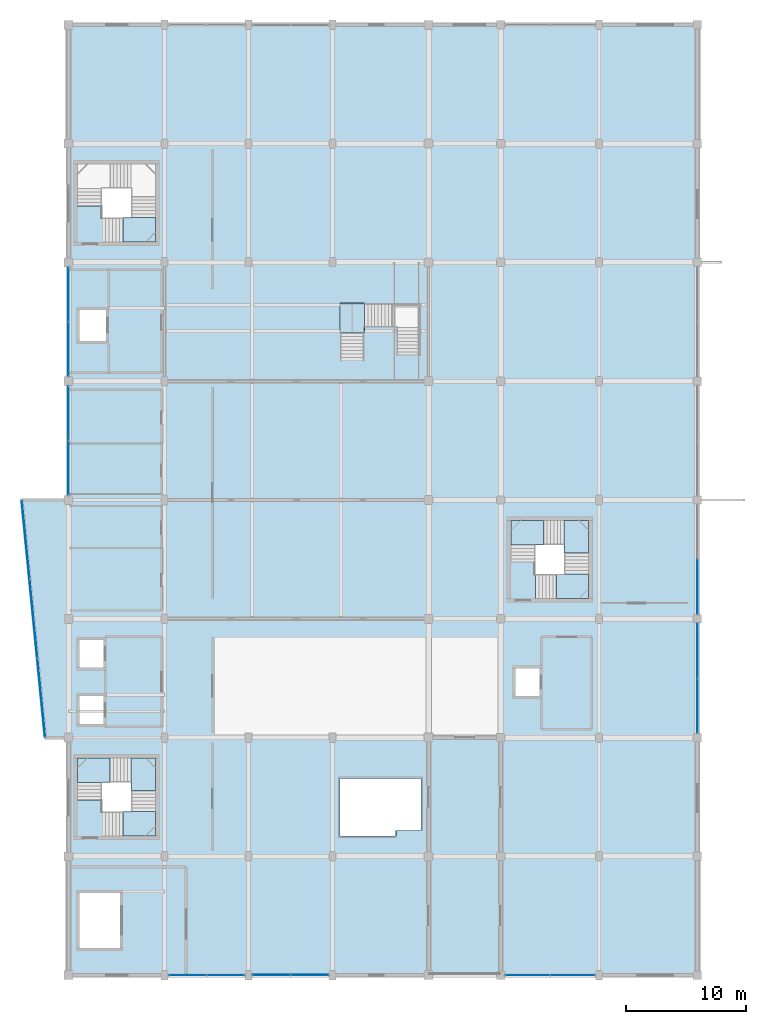
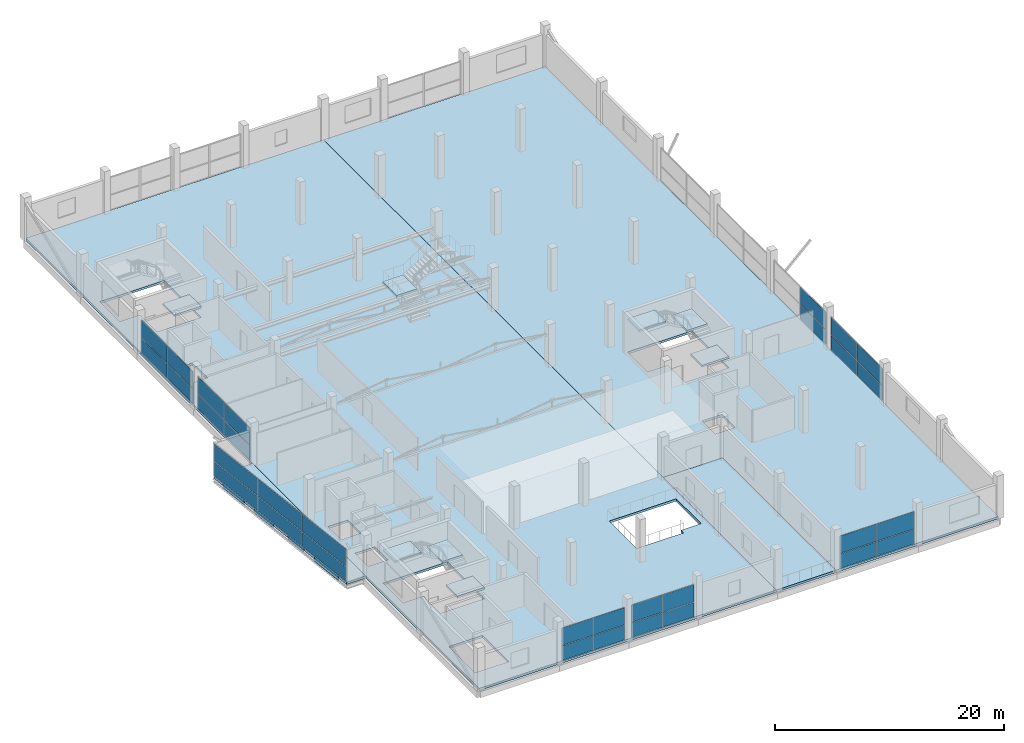
# One storey, part 33 of 49: 36 plates, 12 slabs, 12 elements without a shape of their own.
"""IFC4 building model written with IfcOpenShell, lengths in metres."""

from ifc_helpers import new_model, si_unit, direction, frame, origin, origin_2d, place, context, subcontext, project, spatial, polyline, rectangle, outline, extrude, material, layer, layer_set, type_object, element, aggregate, save


model = new_model("IFC4")

# Units and contexts
model_context = context("Model", 3, precision=1e-05, world=origin(), true_north=direction((0.0, 1.0)))
body_context = subcontext(model_context, "Body", "Model", "MODEL_VIEW")
ifc_project = project(units=[si_unit("LENGTHUNIT", "METRE"), si_unit("AREAUNIT", "SQUARE_METRE"), si_unit("VOLUMEUNIT", "CUBIC_METRE"), si_unit("PLANEANGLEUNIT", "RADIAN"), si_unit("MASSUNIT", "GRAM", prefix="KILO")], contexts=[model_context])

# Site, building, storey
site_placement = place(None, origin())
site = spatial("IfcSite", under=ifc_project, at=site_placement, CompositionType="ELEMENT")
building_placement = place(site_placement, origin())
building = spatial("IfcBuilding", under=site, at=building_placement, Name="Sillaruma Civic Art Gallery", CompositionType="ELEMENT")
storey_placement = place(building_placement, frame((0.0, 0.0, 33.14990234375)))
storey = spatial("IfcBuildingStorey", under=building, at=storey_placement, Name="L06", CompositionType="ELEMENT", Elevation=33.14990234375)

# Plates
ifc_material_1 = material(Name="Anodised Zinc-Aluminium Alloy", Category="aluminium")
ifc_layer_1 = layer(ifc_material_1, 0.044921875, Name="Anodised Zinc-Aluminium Alloy")
ifc_layer_set_1 = layer_set([ifc_layer_1], Name="Anodised Zinc-Aluminium Alloy")
plate_type_1 = type_object("IfcPlateType", Name="PLT-FAS-01", PredefinedType="USERDEFINED", material=ifc_layer_set_1)
plate_1_placement = place(storey_placement, frame((59.757568359375, 42.570068359375, -0.489990234375), z_axis=(0.0, 0.0, 1.0), x_axis=(0.098010679679, -0.99518536297, 0.0)))
element("IfcPlate", 1, at=plate_1_placement, inside=storey, type_object=plate_type_1, Name="Folded Fascia Cassette (PRW-L06-W-4)", ObjectType="FASCIA CASSETTE", PredefinedType="USERDEFINED", context=body_context, shape_type="SweptSolid", body=[
    extrude(rectangle(XDim=3.60009765625, YDim=0.044921875, at=origin_2d()), origin(), (0.0, 0.0, 1.0), 0.580078125),
])
ifc_layer_2 = layer(ifc_material_1, 0.041015625, Name="Anodised Zinc-Aluminium Alloy")
ifc_layer_set_2 = layer_set([ifc_layer_2], Name="Anodised Zinc-Aluminium Alloy")
plate_type_2 = type_object("IfcPlateType", Name="PLT-FAS-02", PredefinedType="USERDEFINED", material=ifc_layer_set_2)
plate_2_placement = place(storey_placement, frame((58.392578125, 56.429931640625, -0.4599609375), z_axis=(0.0, 0.0, 1.0), x_axis=(0.098010679679, -0.99518536297, 0.0)))
element("IfcPlate", 2, at=plate_2_placement, inside=storey, type_object=plate_type_2, Name="Folded Fascia Cassette (PRW-L06-W-1)", ObjectType="FASCIA CASSETTE", PredefinedType="USERDEFINED", context=body_context, shape_type="SweptSolid", body=[
    extrude(rectangle(XDim=3.199951171875, YDim=0.041015625, at=origin_2d()), origin(), (0.0, 0.0, 1.0), 0.52001953125),
])
ifc_layer_3 = layer(ifc_material_1, 0.0380859375, Name="Anodised Zinc-Aluminium Alloy")
ifc_layer_set_3 = layer_set([ifc_layer_3], Name="Anodised Zinc-Aluminium Alloy")
plate_type_3 = type_object("IfcPlateType", Name="PLT-FAS-03", PredefinedType="USERDEFINED", material=ifc_layer_set_3)
plate_3_placement = place(storey_placement, frame((58.841064453125, 51.8759765625, -0.43994140625), z_axis=(0.0, 0.0, 1.0), x_axis=(0.098010679679, -0.99518536297, 0.0)))
element("IfcPlate", 3, at=plate_3_placement, inside=storey, type_object=plate_type_3, Name="Folded Fascia Cassette (PRW-L06-W-2)", ObjectType="FASCIA CASSETTE", PredefinedType="USERDEFINED", context=body_context, shape_type="SweptSolid", body=[
    extrude(rectangle(XDim=2.800048828125, YDim=0.0380859375, at=origin_2d()), origin(), (0.0, 0.0, 1.0), 0.47998046875),
])
ifc_layer_4 = layer(ifc_material_1, 0.034912109375, Name="Anodised Zinc-Aluminium Alloy")
ifc_layer_set_4 = layer_set([ifc_layer_4], Name="Anodised Zinc-Aluminium Alloy")
plate_type_4 = type_object("IfcPlateType", Name="PLT-FAS-04", PredefinedType="USERDEFINED", material=ifc_layer_set_4)
plate_4_placement = place(storey_placement, frame((59.30908203125, 47.1240234375, -0.419921875), z_axis=(0.0, 0.0, 1.0), x_axis=(0.098010679679, -0.99518536297, 0.0)))
element("IfcPlate", 4, at=plate_4_placement, inside=storey, type_object=plate_type_4, Name="Folded Fascia Cassette (PRW-L06-W-3)", ObjectType="FASCIA CASSETTE", PredefinedType="USERDEFINED", context=body_context, shape_type="SweptSolid", body=[
    extrude(rectangle(XDim=2.39990234375, YDim=0.034912109375, at=origin_2d()), origin(), (0.0, 0.0, 1.0), 0.43994140625),
])

# Curtain wall, plates
ifc_material_2 = material(Name="Thermally Broken Extruded Aluminium 6063-T6", Category="aluminium")
ifc_layer_5 = layer(ifc_material_2, 0.139892578125, Name="Thermally Broken Extruded Aluminium 6063-T6")
ifc_layer_set_5 = layer_set([ifc_layer_5], Name="Thermally Broken Extruded Aluminium 6063-T6")
curtain_wall_type_1 = type_object("IfcCurtainWallType", Name="CW-UNI-32", PredefinedType="NOTDEFINED", material=ifc_layer_set_5)
curtain_wall_1_placement = place(storey_placement, origin())
curtain_wall_1 = element("IfcCurtainWall", 5, at=curtain_wall_1_placement, inside=storey, type_object=curtain_wall_type_1, Name="Unitised Curtain Wall CW-32 (CW-L06-E-3)", PredefinedType="NOTDEFINED")
ifc_material_3 = material(Name="Low-E UV-Filtered Laminated Insulating Glass", Category="glass")
ifc_layer_6 = layer(ifc_material_3, 0.028076171875, Name="Low-E UV-Filtered Laminated Insulating Glass")
ifc_layer_set_6 = layer_set([ifc_layer_6], Name="Low-E UV-Filtered Laminated Insulating Glass")
plate_type_5 = type_object("IfcPlateType", Name="PNL-GLZ-28", PredefinedType="CURTAIN_PANEL", material=ifc_layer_set_6)
plate_5_placement = place(storey_placement, frame((114.39990234375, 42.264892578125, 0.06005859375), z_axis=(0.0, 0.0, 1.0), x_axis=(0.0, 1.0, 0.0)))
plate_5 = element("IfcPlate", 6, at=plate_5_placement, type_object=plate_type_5, Name="CW-32 panel 1.1", PredefinedType="CURTAIN_PANEL", context=body_context, shape_type="SweptSolid", body=[
    extrude(rectangle(XDim=4.510009765625, YDim=0.028076171875, at=origin_2d()), origin(), (0.0, 0.0, 1.0), 1.55224609375),
])
plate_6_placement = place(storey_placement, frame((114.39990234375, 42.264892578125, 1.67236328125), z_axis=(0.0, 0.0, 1.0), x_axis=(0.0, 1.0, 0.0)))
plate_6 = element("IfcPlate", 7, at=plate_6_placement, type_object=plate_type_5, Name="CW-32 panel 1.2", PredefinedType="CURTAIN_PANEL", context=body_context, shape_type="SweptSolid", body=[
    extrude(rectangle(XDim=4.510009765625, YDim=0.028076171875, at=origin_2d()), origin(), (0.0, 0.0, 1.0), 1.837890625),
])
plate_7_placement = place(storey_placement, frame((114.39990234375, 46.8349609375, 0.06005859375), z_axis=(0.0, 0.0, 1.0), x_axis=(0.0, 1.0, 0.0)))
plate_7 = element("IfcPlate", 8, at=plate_7_placement, type_object=plate_type_5, Name="CW-32 panel 2.1", PredefinedType="CURTAIN_PANEL", context=body_context, shape_type="SweptSolid", body=[
    extrude(rectangle(XDim=4.510009765625, YDim=0.028076171875, at=origin_2d()), origin(), (0.0, 0.0, 1.0), 1.55224609375),
])
plate_8_placement = place(storey_placement, frame((114.39990234375, 46.8349609375, 1.67236328125), z_axis=(0.0, 0.0, 1.0), x_axis=(0.0, 1.0, 0.0)))
plate_8 = element("IfcPlate", 9, at=plate_8_placement, type_object=plate_type_5, Name="CW-32 panel 2.2", PredefinedType="CURTAIN_PANEL", context=body_context, shape_type="SweptSolid", body=[
    extrude(rectangle(XDim=4.510009765625, YDim=0.028076171875, at=origin_2d()), origin(), (0.0, 0.0, 1.0), 1.837890625),
])
aggregate(curtain_wall_1, [plate_5, plate_6, plate_7, plate_8])

curtain_wall_2_placement = place(storey_placement, origin())
curtain_wall_2 = element("IfcCurtainWall", 10, at=curtain_wall_2_placement, inside=storey, type_object=curtain_wall_type_1, Name="Unitised Curtain Wall CW-32 (CW-L06-W-6)", PredefinedType="NOTDEFINED")
plate_9_placement = place(storey_placement, frame((62.0, 71.9775390625, 0.06005859375), z_axis=(0.0, 0.0, 1.0), x_axis=(0.0, 1.0, 0.0)))
plate_9 = element("IfcPlate", 11, at=plate_9_placement, type_object=plate_type_5, Name="CW-32 panel 1.1", PredefinedType="CURTAIN_PANEL", context=body_context, shape_type="SweptSolid", body=[
    extrude(rectangle(XDim=4.485107421875, YDim=0.028076171875, at=origin_2d()), origin(), (0.0, 0.0, 1.0), 1.55224609375),
])
plate_10_placement = place(storey_placement, frame((62.0, 71.9775390625, 1.67236328125), z_axis=(0.0, 0.0, 1.0), x_axis=(0.0, 1.0, 0.0)))
plate_10 = element("IfcPlate", 12, at=plate_10_placement, type_object=plate_type_5, Name="CW-32 panel 1.2", PredefinedType="CURTAIN_PANEL", context=body_context, shape_type="SweptSolid", body=[
    extrude(rectangle(XDim=4.485107421875, YDim=0.028076171875, at=origin_2d()), origin(), (0.0, 0.0, 1.0), 1.837890625),
])
plate_11_placement = place(storey_placement, frame((62.0, 76.5224609375, 0.06005859375), z_axis=(0.0, 0.0, 1.0), x_axis=(0.0, 1.0, 0.0)))
plate_11 = element("IfcPlate", 13, at=plate_11_placement, type_object=plate_type_5, Name="CW-32 panel 2.1", PredefinedType="CURTAIN_PANEL", context=body_context, shape_type="SweptSolid", body=[
    extrude(rectangle(XDim=4.485107421875, YDim=0.028076171875, at=origin_2d()), origin(), (0.0, 0.0, 1.0), 1.55224609375),
])
plate_12_placement = place(storey_placement, frame((62.0, 76.5224609375, 1.67236328125), z_axis=(0.0, 0.0, 1.0), x_axis=(0.0, 1.0, 0.0)))
plate_12 = element("IfcPlate", 14, at=plate_12_placement, type_object=plate_type_5, Name="CW-32 panel 2.2", PredefinedType="CURTAIN_PANEL", context=body_context, shape_type="SweptSolid", body=[
    extrude(rectangle(XDim=4.485107421875, YDim=0.028076171875, at=origin_2d()), origin(), (0.0, 0.0, 1.0), 1.837890625),
])
aggregate(curtain_wall_2, [plate_9, plate_10, plate_11, plate_12])

ifc_layer_7 = layer(ifc_material_2, 0.139892578125, Name="Thermally Broken Extruded Aluminium 6063-T6")
ifc_layer_set_7 = layer_set([ifc_layer_7], Name="Thermally Broken Extruded Aluminium 6063-T6")
curtain_wall_type_2 = type_object("IfcCurtainWallType", Name="CW-UNI-43", PredefinedType="NOTDEFINED", material=ifc_layer_set_7)
curtain_wall_3_placement = place(storey_placement, origin())
curtain_wall_3 = element("IfcCurtainWall", 15, at=curtain_wall_3_placement, inside=storey, type_object=curtain_wall_type_2, Name="Unitised Curtain Wall CW-43 (CW-L06-S-6)", PredefinedType="NOTDEFINED")
plate_13_placement = place(storey_placement, frame((100.25244140625, 19.800048828125, 0.06005859375), z_axis=(0.0, 0.0, 1.0), x_axis=(1.0, 0.0, 0.0)))
plate_13 = element("IfcPlate", 16, at=plate_13_placement, type_object=plate_type_5, Name="CW-43 panel 1.1", PredefinedType="CURTAIN_PANEL", context=body_context, shape_type="SweptSolid", body=[
    extrude(rectangle(XDim=3.68505859375, YDim=0.028076171875, at=origin_2d()), origin(), (0.0, 0.0, 1.0), 1.55224609375),
])
plate_14_placement = place(storey_placement, frame((100.25244140625, 19.800048828125, 1.67236328125), z_axis=(0.0, 0.0, 1.0), x_axis=(1.0, 0.0, 0.0)))
plate_14 = element("IfcPlate", 17, at=plate_14_placement, type_object=plate_type_5, Name="CW-43 panel 1.2", PredefinedType="CURTAIN_PANEL", context=body_context, shape_type="SweptSolid", body=[
    extrude(rectangle(XDim=3.68505859375, YDim=0.028076171875, at=origin_2d()), origin(), (0.0, 0.0, 1.0), 1.837890625),
])
plate_15_placement = place(storey_placement, frame((103.99755859375, 19.800048828125, 0.06005859375), z_axis=(0.0, 0.0, 1.0), x_axis=(1.0, 0.0, 0.0)))
plate_15 = element("IfcPlate", 18, at=plate_15_placement, type_object=plate_type_5, Name="CW-43 panel 2.1", PredefinedType="CURTAIN_PANEL", context=body_context, shape_type="SweptSolid", body=[
    extrude(rectangle(XDim=3.68505859375, YDim=0.028076171875, at=origin_2d()), origin(), (0.0, 0.0, 1.0), 1.55224609375),
])
plate_16_placement = place(storey_placement, frame((103.99755859375, 19.800048828125, 1.67236328125), z_axis=(0.0, 0.0, 1.0), x_axis=(1.0, 0.0, 0.0)))
plate_16 = element("IfcPlate", 19, at=plate_16_placement, type_object=plate_type_5, Name="CW-43 panel 2.2", PredefinedType="CURTAIN_PANEL", context=body_context, shape_type="SweptSolid", body=[
    extrude(rectangle(XDim=3.68505859375, YDim=0.028076171875, at=origin_2d()), origin(), (0.0, 0.0, 1.0), 1.837890625),
])
aggregate(curtain_wall_3, [plate_13, plate_14, plate_15, plate_16])

ifc_layer_8 = layer(ifc_material_2, 0.159912109375, Name="Thermally Broken Extruded Aluminium 6063-T6")
ifc_layer_set_8 = layer_set([ifc_layer_8], Name="Thermally Broken Extruded Aluminium 6063-T6")
curtain_wall_type_3 = type_object("IfcCurtainWallType", Name="CW-UNI-37", PredefinedType="NOTDEFINED", material=ifc_layer_set_8)
curtain_wall_4_placement = place(storey_placement, origin())
curtain_wall_4 = element("IfcCurtainWall", 20, at=curtain_wall_4_placement, inside=storey, type_object=curtain_wall_type_3, Name="Unitised Curtain Wall CW-37 (CW-L06-S-2)", PredefinedType="NOTDEFINED")
ifc_layer_9 = layer(ifc_material_3, 0.030029296875, Name="Low-E UV-Filtered Laminated Insulating Glass")
ifc_layer_set_9 = layer_set([ifc_layer_9], Name="Low-E UV-Filtered Laminated Insulating Glass")
plate_type_6 = type_object("IfcPlateType", Name="PNL-GLZ-30", PredefinedType="CURTAIN_PANEL", material=ifc_layer_set_9)
plate_17_placement = place(storey_placement, frame((71.916259765625, 19.800048828125, 0.06005859375), z_axis=(0.0, 0.0, 1.0), x_axis=(1.0, 0.0, 0.0)))
plate_17 = element("IfcPlate", 21, at=plate_17_placement, type_object=plate_type_6, Name="CW-37 panel 1.1", PredefinedType="CURTAIN_PANEL", context=body_context, shape_type="SweptSolid", body=[
    extrude(rectangle(XDim=3.1025390625, YDim=0.030029296875, at=origin_2d()), origin(), (0.0, 0.0, 1.0), 1.55224609375),
])
plate_18_placement = place(storey_placement, frame((71.916259765625, 19.800048828125, 1.67236328125), z_axis=(0.0, 0.0, 1.0), x_axis=(1.0, 0.0, 0.0)))
plate_18 = element("IfcPlate", 22, at=plate_18_placement, type_object=plate_type_6, Name="CW-37 panel 1.2", PredefinedType="CURTAIN_PANEL", context=body_context, shape_type="SweptSolid", body=[
    extrude(rectangle(XDim=3.1025390625, YDim=0.030029296875, at=origin_2d()), origin(), (0.0, 0.0, 1.0), 1.837890625),
])
plate_19_placement = place(storey_placement, frame((75.083740234375, 19.800048828125, 0.06005859375), z_axis=(0.0, 0.0, 1.0), x_axis=(1.0, 0.0, 0.0)))
plate_19 = element("IfcPlate", 23, at=plate_19_placement, type_object=plate_type_6, Name="CW-37 panel 2.1", PredefinedType="CURTAIN_PANEL", context=body_context, shape_type="SweptSolid", body=[
    extrude(rectangle(XDim=3.1025390625, YDim=0.030029296875, at=origin_2d()), origin(), (0.0, 0.0, 1.0), 1.55224609375),
])
plate_20_placement = place(storey_placement, frame((75.083740234375, 19.800048828125, 1.67236328125), z_axis=(0.0, 0.0, 1.0), x_axis=(1.0, 0.0, 0.0)))
plate_20 = element("IfcPlate", 24, at=plate_20_placement, type_object=plate_type_6, Name="CW-37 panel 2.2", PredefinedType="CURTAIN_PANEL", context=body_context, shape_type="SweptSolid", body=[
    extrude(rectangle(XDim=3.1025390625, YDim=0.030029296875, at=origin_2d()), origin(), (0.0, 0.0, 1.0), 1.837890625),
])
aggregate(curtain_wall_4, [plate_17, plate_18, plate_19, plate_20])

ifc_layer_10 = layer(ifc_material_2, 0.159912109375, Name="Thermally Broken Extruded Aluminium 6063-T6")
ifc_layer_set_10 = layer_set([ifc_layer_10], Name="Thermally Broken Extruded Aluminium 6063-T6")
curtain_wall_type_4 = type_object("IfcCurtainWallType", Name="CW-UNI-39", PredefinedType="NOTDEFINED", material=ifc_layer_set_10)
curtain_wall_5_placement = place(storey_placement, origin())
curtain_wall_5 = element("IfcCurtainWall", 25, at=curtain_wall_5_placement, inside=storey, type_object=curtain_wall_type_4, Name="Unitised Curtain Wall CW-39 (CW-L06-W-5)", PredefinedType="NOTDEFINED")
ifc_layer_11 = layer(ifc_material_3, 0.031982421875, Name="Low-E UV-Filtered Laminated Insulating Glass")
ifc_layer_set_11 = layer_set([ifc_layer_11], Name="Low-E UV-Filtered Laminated Insulating Glass")
plate_type_7 = type_object("IfcPlateType", Name="PNL-GLZ-32", PredefinedType="CURTAIN_PANEL", material=ifc_layer_set_11)
plate_21_placement = place(storey_placement, frame((62.0, 62.078857421875, 0.06494140625), z_axis=(0.0, 0.0, 1.0), x_axis=(0.0, 1.0, 0.0)))
plate_21 = element("IfcPlate", 26, at=plate_21_placement, type_object=plate_type_7, Name="CW-39 panel 1.1", PredefinedType="CURTAIN_PANEL", context=body_context, shape_type="SweptSolid", body=[
    extrude(rectangle(XDim=4.4775390625, YDim=0.031982421875, at=origin_2d()), origin(), (0.0, 0.0, 1.0), 1.544677734375),
])
plate_22_placement = place(storey_placement, frame((62.0, 62.078857421875, 1.6748046875), z_axis=(0.0, 0.0, 1.0), x_axis=(0.0, 1.0, 0.0)))
plate_22 = element("IfcPlate", 27, at=plate_22_placement, type_object=plate_type_7, Name="CW-39 panel 1.2", PredefinedType="CURTAIN_PANEL", context=body_context, shape_type="SweptSolid", body=[
    extrude(rectangle(XDim=4.4775390625, YDim=0.031982421875, at=origin_2d()), origin(), (0.0, 0.0, 1.0), 1.830322265625),
])
plate_23_placement = place(storey_placement, frame((62.0, 66.621337890625, 0.06494140625), z_axis=(0.0, 0.0, 1.0), x_axis=(0.0, 1.0, 0.0)))
plate_23 = element("IfcPlate", 28, at=plate_23_placement, type_object=plate_type_7, Name="CW-39 panel 2.1", PredefinedType="CURTAIN_PANEL", context=body_context, shape_type="SweptSolid", body=[
    extrude(rectangle(XDim=4.4775390625, YDim=0.031982421875, at=origin_2d()), origin(), (0.0, 0.0, 1.0), 1.544677734375),
])
plate_24_placement = place(storey_placement, frame((62.0, 66.621337890625, 1.6748046875), z_axis=(0.0, 0.0, 1.0), x_axis=(0.0, 1.0, 0.0)))
plate_24 = element("IfcPlate", 29, at=plate_24_placement, type_object=plate_type_7, Name="CW-39 panel 2.2", PredefinedType="CURTAIN_PANEL", context=body_context, shape_type="SweptSolid", body=[
    extrude(rectangle(XDim=4.4775390625, YDim=0.031982421875, at=origin_2d()), origin(), (0.0, 0.0, 1.0), 1.830322265625),
])
aggregate(curtain_wall_5, [plate_21, plate_22, plate_23, plate_24])

ifc_layer_12 = layer(ifc_material_2, 0.139892578125, Name="Thermally Broken Extruded Aluminium 6063-T6")
ifc_layer_set_12 = layer_set([ifc_layer_12], Name="Thermally Broken Extruded Aluminium 6063-T6")
curtain_wall_type_5 = type_object("IfcCurtainWallType", Name="CW-UNI-42", PredefinedType="NOTDEFINED", material=ifc_layer_set_12)
curtain_wall_6_placement = place(storey_placement, origin())
curtain_wall_6 = element("IfcCurtainWall", 30, at=curtain_wall_6_placement, inside=storey, type_object=curtain_wall_type_5, Name="Unitised Curtain Wall CW-42 (CW-L06-S-3)", PredefinedType="NOTDEFINED")
ifc_layer_13 = layer(ifc_material_3, 0.033935546875, Name="Low-E UV-Filtered Laminated Insulating Glass")
ifc_layer_set_13 = layer_set([ifc_layer_13], Name="Low-E UV-Filtered Laminated Insulating Glass")
plate_type_8 = type_object("IfcPlateType", Name="PNL-GLZ-34", PredefinedType="CURTAIN_PANEL", material=ifc_layer_set_13)
plate_25_placement = place(storey_placement, frame((78.9150390625, 19.800048828125, 0.06494140625), z_axis=(0.0, 0.0, 1.0), x_axis=(1.0, 0.0, 0.0)))
plate_25 = element("IfcPlate", 31, at=plate_25_placement, type_object=plate_type_8, Name="CW-42 panel 1.1", PredefinedType="CURTAIN_PANEL", context=body_context, shape_type="SweptSolid", body=[
    extrude(rectangle(XDim=3.110107421875, YDim=0.033935546875, at=origin_2d()), origin(), (0.0, 0.0, 1.0), 1.544677734375),
])
plate_26_placement = place(storey_placement, frame((78.9150390625, 19.800048828125, 1.6748046875), z_axis=(0.0, 0.0, 1.0), x_axis=(1.0, 0.0, 0.0)))
plate_26 = element("IfcPlate", 32, at=plate_26_placement, type_object=plate_type_8, Name="CW-42 panel 1.2", PredefinedType="CURTAIN_PANEL", context=body_context, shape_type="SweptSolid", body=[
    extrude(rectangle(XDim=3.110107421875, YDim=0.033935546875, at=origin_2d()), origin(), (0.0, 0.0, 1.0), 1.830322265625),
])
plate_27_placement = place(storey_placement, frame((82.0849609375, 19.800048828125, 0.06494140625), z_axis=(0.0, 0.0, 1.0), x_axis=(1.0, 0.0, 0.0)))
plate_27 = element("IfcPlate", 33, at=plate_27_placement, type_object=plate_type_8, Name="CW-42 panel 2.1", PredefinedType="CURTAIN_PANEL", context=body_context, shape_type="SweptSolid", body=[
    extrude(rectangle(XDim=3.110107421875, YDim=0.033935546875, at=origin_2d()), origin(), (0.0, 0.0, 1.0), 1.544677734375),
])
plate_28_placement = place(storey_placement, frame((82.0849609375, 19.800048828125, 1.6748046875), z_axis=(0.0, 0.0, 1.0), x_axis=(1.0, 0.0, 0.0)))
plate_28 = element("IfcPlate", 34, at=plate_28_placement, type_object=plate_type_8, Name="CW-42 panel 2.2", PredefinedType="CURTAIN_PANEL", context=body_context, shape_type="SweptSolid", body=[
    extrude(rectangle(XDim=3.110107421875, YDim=0.033935546875, at=origin_2d()), origin(), (0.0, 0.0, 1.0), 1.830322265625),
])
aggregate(curtain_wall_6, [plate_25, plate_26, plate_27, plate_28])

ifc_layer_14 = layer(ifc_material_2, 0.179931640625, Name="Thermally Broken Extruded Aluminium 6063-T6")
ifc_layer_set_14 = layer_set([ifc_layer_14], Name="Thermally Broken Extruded Aluminium 6063-T6")
curtain_wall_type_6 = type_object("IfcCurtainWallType", Name="CW-UNI-34", PredefinedType="NOTDEFINED", material=ifc_layer_set_14)
curtain_wall_7_placement = place(storey_placement, origin())
curtain_wall_7 = element("IfcCurtainWall", 35, at=curtain_wall_7_placement, inside=storey, type_object=curtain_wall_type_6, Name="Unitised Curtain Wall CW-34 (CW-L06-E-4)", PredefinedType="NOTDEFINED")
ifc_layer_15 = layer(ifc_material_3, 0.0400390625, Name="Low-E UV-Filtered Laminated Insulating Glass")
ifc_layer_set_15 = layer_set([ifc_layer_15], Name="Low-E UV-Filtered Laminated Insulating Glass")
plate_type_9 = type_object("IfcPlateType", Name="PNL-GLZ-40", PredefinedType="CURTAIN_PANEL", material=ifc_layer_set_15)
plate_29_placement = place(storey_placement, frame((114.39990234375, 52.16748046875, 0.06494140625), z_axis=(0.0, 0.0, 1.0), x_axis=(0.0, 1.0, 0.0)))
plate_29 = element("IfcPlate", 36, at=plate_29_placement, type_object=plate_type_9, Name="CW-34 panel 1.1", PredefinedType="CURTAIN_PANEL", context=body_context, shape_type="SweptSolid", body=[
    extrude(rectangle(XDim=4.4951171875, YDim=0.0400390625, at=origin_2d()), origin(), (0.0, 0.0, 1.0), 1.544677734375),
])
plate_30_placement = place(storey_placement, frame((114.39990234375, 52.16748046875, 1.6748046875), z_axis=(0.0, 0.0, 1.0), x_axis=(0.0, 1.0, 0.0)))
plate_30 = element("IfcPlate", 37, at=plate_30_placement, type_object=plate_type_9, Name="CW-34 panel 1.2", PredefinedType="CURTAIN_PANEL", context=body_context, shape_type="SweptSolid", body=[
    extrude(rectangle(XDim=4.4951171875, YDim=0.0400390625, at=origin_2d()), origin(), (0.0, 0.0, 1.0), 1.830322265625),
])
aggregate(curtain_wall_7, [plate_29, plate_30])

ifc_layer_16 = layer(ifc_material_2, 0.179931640625, Name="Thermally Broken Extruded Aluminium 6063-T6")
ifc_layer_set_16 = layer_set([ifc_layer_16], Name="Thermally Broken Extruded Aluminium 6063-T6")
curtain_wall_type_7 = type_object("IfcCurtainWallType", Name="CW-UNI-41", PredefinedType="NOTDEFINED", material=ifc_layer_set_16)
curtain_wall_8_placement = place(storey_placement, origin())
curtain_wall_8 = element("IfcCurtainWall", 38, at=curtain_wall_8_placement, inside=storey, type_object=curtain_wall_type_7, Name="Unitised Curtain Wall CW-41 (CW-PRW-L06-W-ANG)", PredefinedType="NOTDEFINED")
plate_31_placement = place(storey_placement, frame((58.4267578125, 56.08251953125, 0.06494140625), z_axis=(0.0, 0.0, 1.0), x_axis=(0.098010679679, -0.99518536297, 0.0)))
plate_31 = element("IfcPlate", 39, at=plate_31_placement, type_object=plate_type_9, Name="CW-41 panel 1.1", PredefinedType="CURTAIN_PANEL", context=body_context, shape_type="SweptSolid", body=[
    extrude(rectangle(XDim=6.52685546875, YDim=0.0400390625, at=origin_2d()), origin(), (0.0, 0.0, 1.0), 1.544677734375),
])
plate_32_placement = place(storey_placement, frame((58.4267578125, 56.08251953125, 1.6748046875), z_axis=(0.0, 0.0, 1.0), x_axis=(0.098010679679, -0.99518536297, 0.0)))
plate_32 = element("IfcPlate", 40, at=plate_32_placement, type_object=plate_type_9, Name="CW-41 panel 1.2", PredefinedType="CURTAIN_PANEL", context=body_context, shape_type="SweptSolid", body=[
    extrude(rectangle(XDim=6.52685546875, YDim=0.0400390625, at=origin_2d()), origin(), (0.0, 0.0, 1.0), 1.830322265625),
])
plate_33_placement = place(storey_placement, frame((59.074951171875, 49.5, 0.06494140625), z_axis=(0.0, 0.0, 1.0), x_axis=(0.098010679679, -0.99518536297, 0.0)))
plate_33 = element("IfcPlate", 41, at=plate_33_placement, type_object=plate_type_9, Name="CW-41 panel 2.1", PredefinedType="CURTAIN_PANEL", context=body_context, shape_type="SweptSolid", body=[
    extrude(rectangle(XDim=6.56201171875, YDim=0.0400390625, at=origin_2d()), origin(), (0.0, 0.0, 1.0), 1.544677734375),
])
plate_34_placement = place(storey_placement, frame((59.074951171875, 49.5, 1.6748046875), z_axis=(0.0, 0.0, 1.0), x_axis=(0.098010679679, -0.99518536297, 0.0)))
plate_34 = element("IfcPlate", 42, at=plate_34_placement, type_object=plate_type_9, Name="CW-41 panel 2.2", PredefinedType="CURTAIN_PANEL", context=body_context, shape_type="SweptSolid", body=[
    extrude(rectangle(XDim=6.56201171875, YDim=0.0400390625, at=origin_2d()), origin(), (0.0, 0.0, 1.0), 1.830322265625),
])
plate_35_placement = place(storey_placement, frame((59.723388671875, 42.91748046875, 0.06494140625), z_axis=(0.0, 0.0, 1.0), x_axis=(0.098010679679, -0.99518536297, 0.0)))
plate_35 = element("IfcPlate", 43, at=plate_35_placement, type_object=plate_type_9, Name="CW-41 panel 3.1", PredefinedType="CURTAIN_PANEL", context=body_context, shape_type="SweptSolid", body=[
    extrude(rectangle(XDim=6.52685546875, YDim=0.0400390625, at=origin_2d()), origin(), (0.0, 0.0, 1.0), 1.544677734375),
])
plate_36_placement = place(storey_placement, frame((59.723388671875, 42.91748046875, 1.6748046875), z_axis=(0.0, 0.0, 1.0), x_axis=(0.098010679679, -0.99518536297, 0.0)))
plate_36 = element("IfcPlate", 44, at=plate_36_placement, type_object=plate_type_9, Name="CW-41 panel 3.2", PredefinedType="CURTAIN_PANEL", context=body_context, shape_type="SweptSolid", body=[
    extrude(rectangle(XDim=6.52685546875, YDim=0.0400390625, at=origin_2d()), origin(), (0.0, 0.0, 1.0), 1.830322265625),
])
aggregate(curtain_wall_8, [plate_31, plate_32, plate_33, plate_34, plate_35, plate_36])

# Slabs
ifc_material_4 = material(Name="Concrete H35 (35 MPa)", Category="concrete")
ifc_layer_17 = layer(ifc_material_4, 0.239990234375, Name="Concrete H35 (35 MPa)")
ifc_layer_set_17 = layer_set([ifc_layer_17], Name="Concrete H35 (35 MPa)")
slab_type_1 = type_object("IfcSlabType", Name="SLB-EXT-240", PredefinedType="FLOOR", material=ifc_layer_set_17)
slab_1_placement = place(storey_placement, frame((0.0, 0.0, -0.239990234375)))
element("IfcSlab", 45, at=slab_1_placement, inside=storey, type_object=slab_type_1, Name="L06 South Canyon Sculpture Terrace (SLB-L06-TER-CS)", PredefinedType="FLOOR", context=body_context, shape_type="SweptSolid", body=[
    extrude(outline(polyline([(92.0, 19.800048828125), (98.0, 19.800048828125), (98.0, 39.60009765625), (92.0, 39.60009765625), (92.0, 19.800048828125)])), origin(), (0.0, 0.0, 1.0), 0.239990234375),
])
ifc_layer_18 = layer(ifc_material_4, 0.239990234375, Name="Concrete H35 (35 MPa)")
ifc_layer_set_18 = layer_set([ifc_layer_18], Name="Concrete H35 (35 MPa)")
slab_type_2 = type_object("IfcSlabType", Name="SLB-FLR-240", PredefinedType="FLOOR", material=ifc_layer_set_18)
slab_2_placement = place(storey_placement, frame((0.0, 0.0, -0.239990234375)))
element("IfcSlab", 46, at=slab_2_placement, inside=storey, type_object=slab_type_2, Name="Floor Slab SF-240 (SLB-L06-WEST)", PredefinedType="FLOOR", context=body_context, shape_type="SweptSolid", body=[
    extrude(outline(polyline([(62.0, 19.800048828125), (92.0, 19.800048828125), (92.0, 99.0), (62.0, 99.0), (62.0, 19.800048828125)]), holes=[polyline([(64.81494140625, 80.909912109375), (69.239990234375, 80.909912109375), (69.239990234375, 87.389892578125), (62.760009765625, 87.389892578125), (62.760009765625, 83.9150390625), (64.81494140625, 83.9150390625), (64.81494140625, 80.909912109375)]), polyline([(64.81494140625, 31.409912109375), (69.239990234375, 31.409912109375), (69.239990234375, 37.889892578125), (62.760009765625, 37.889892578125), (62.760009765625, 34.4150390625), (64.81494140625, 34.4150390625), (64.81494140625, 31.409912109375)]), polyline([(84.60009765625, 31.39990234375), (89.320068359375, 31.39990234375), (89.320068359375, 31.85498046875), (91.360107421875, 31.85498046875), (91.360107421875, 36.199951171875), (84.60009765625, 36.199951171875), (84.60009765625, 31.39990234375)]), polyline([(62.89990234375, 40.75), (64.89990234375, 40.75), (64.89990234375, 43.050048828125), (62.89990234375, 43.050048828125), (62.89990234375, 40.75)]), polyline([(62.89990234375, 45.449951171875), (64.89990234375, 45.449951171875), (64.89990234375, 47.75), (62.89990234375, 47.75), (62.89990234375, 45.449951171875)]), polyline([(62.89990234375, 72.64990234375), (65.10009765625, 72.64990234375), (65.10009765625, 75.25), (62.89990234375, 75.25), (62.89990234375, 72.64990234375)]), polyline([(62.89990234375, 22.050048828125), (66.300048828125, 22.050048828125), (66.300048828125, 26.64990234375), (62.89990234375, 26.64990234375), (62.89990234375, 22.050048828125)])]), origin(), (0.0, 0.0, 1.0), 0.239990234375),
])
slab_3_placement = place(storey_placement, frame((0.0, 0.0, -0.239990234375)))
element("IfcSlab", 47, at=slab_3_placement, inside=storey, type_object=slab_type_2, Name="Floor Slab SF-240 (SLB-L06-EAST)", PredefinedType="FLOOR", context=body_context, shape_type="SweptSolid", body=[
    extrude(outline(polyline([(92.0, 39.60009765625), (98.0, 39.60009765625), (98.0, 19.800048828125), (114.39990234375, 19.800048828125), (114.39990234375, 99.0), (92.0, 99.0), (92.0, 39.60009765625)]), holes=[polyline([(100.9150390625, 51.2099609375), (105.340087890625, 51.2099609375), (105.340087890625, 57.68994140625), (98.860107421875, 57.68994140625), (98.860107421875, 54.215087890625), (100.9150390625, 54.215087890625), (100.9150390625, 51.2099609375)]), polyline([(99.25, 43.050048828125), (101.25, 43.050048828125), (101.25, 45.35009765625), (99.25, 45.35009765625), (99.25, 43.050048828125)])]), origin(), (0.0, 0.0, 1.0), 0.239990234375),
])
slab_4_placement = place(storey_placement, frame((0.0, 0.0, -0.239990234375)))
element("IfcSlab", 48, at=slab_4_placement, inside=storey, type_object=slab_type_2, Name="Floor Slab SF-240 (SLB-L06-PRWW)", PredefinedType="FLOOR", context=body_context, shape_type="SweptSolid", body=[
    extrude(outline(polyline([(62.0, 39.60009765625), (62.0, 59.39990234375), (58.10009765625, 59.39990234375), (60.050048828125, 39.60009765625), (62.0, 39.60009765625)])), origin(), (0.0, 0.0, 1.0), 0.239990234375),
])

# Stair, slab
stair_type_1 = type_object("IfcStairType", Name="STR-3F-27", PredefinedType="TWO_QUARTER_TURN_STAIR", material=ifc_material_4)
stair_1_placement = place(storey_placement, origin())
stair_1 = element("IfcStair", 49, at=stair_1_placement, inside=storey, type_object=stair_type_1, Name="Monumental Gallery Feature Stair ST-G03 (L06)", PredefinedType="TWO_QUARTER_TURN_STAIR")
ifc_layer_19 = layer(ifc_material_4, 0.18505859375, Name="Concrete H35 (35 MPa)")
ifc_layer_set_19 = layer_set([ifc_layer_19], Name="Concrete H35 (35 MPa)")
slab_type_3 = type_object("IfcSlabType", Name="SLB-LND-185", PredefinedType="LANDING", material=ifc_layer_set_19)
slab_5_placement = place(storey_placement, frame((0.0, 0.0, 1.34521484375)))
slab_5 = element("IfcSlab", 50, at=slab_5_placement, type_object=slab_type_3, Name="ST-G03 landing 1", PredefinedType="LANDING", context=body_context, shape_type="SweptSolid", body=[
    extrude(outline(polyline([(84.60009765625, 73.320068359375), (86.639892578125, 73.320068359375), (86.639892578125, 75.800048828125), (84.60009765625, 75.800048828125), (84.60009765625, 73.320068359375)])), origin(), (0.0, 0.0, 1.0), 0.184814453125),
])
aggregate(stair_1, [slab_5])

stair_type_2 = type_object("IfcStairType", Name="STR-4F-27", PredefinedType="USERDEFINED", material=ifc_material_4)
stair_2_placement = place(storey_placement, origin())
stair_2 = element("IfcStair", 51, at=stair_2_placement, inside=storey, type_object=stair_type_2, Name="Protected Exit Stair ST-02 (West Bar North) (L06)", ObjectType="THREE_RETURN_STAIR", PredefinedType="USERDEFINED")
ifc_layer_20 = layer(ifc_material_4, 0.199951171875, Name="Concrete H35 (35 MPa)")
ifc_layer_set_20 = layer_set([ifc_layer_20], Name="Concrete H35 (35 MPa)")
slab_type_4 = type_object("IfcSlabType", Name="SLB-LND-200", PredefinedType="LANDING", material=ifc_layer_set_20)
slab_6_placement = place(storey_placement, frame((0.0, 0.0, 0.989990234375)))
slab_6 = element("IfcSlab", 52, at=slab_6_placement, type_object=slab_type_4, Name="ST-02 landing 1", PredefinedType="LANDING", context=body_context, shape_type="SweptSolid", body=[
    extrude(outline(polyline([(66.5400390625, 80.909912109375), (69.239990234375, 80.909912109375), (69.239990234375, 82.949951171875), (66.5400390625, 82.949951171875), (66.5400390625, 80.909912109375)])), origin(), (0.0, 0.0, 1.0), 0.2001953125),
])
aggregate(stair_2, [slab_6])

# Stair, slabs
stair_3_placement = place(storey_placement, origin())
stair_3 = element("IfcStair", 53, at=stair_3_placement, inside=storey, type_object=stair_type_2, Name="Protected Exit Stair ST-03 (West Bar South) (L06)", ObjectType="THREE_RETURN_STAIR", PredefinedType="USERDEFINED")
slab_7_placement = place(storey_placement, frame((0.0, 0.0, 0.989990234375)))
slab_7 = element("IfcSlab", 54, at=slab_7_placement, type_object=slab_type_4, Name="ST-03 landing 1", PredefinedType="LANDING", context=body_context, shape_type="SweptSolid", body=[
    extrude(outline(polyline([(66.5400390625, 31.409912109375), (69.239990234375, 31.409912109375), (69.239990234375, 33.449951171875), (66.5400390625, 33.449951171875), (66.5400390625, 31.409912109375)])), origin(), (0.0, 0.0, 1.0), 0.2001953125),
])
slab_8_placement = place(storey_placement, frame((0.0, 0.0, 2.18017578125)))
slab_8 = element("IfcSlab", 55, at=slab_8_placement, type_object=slab_type_4, Name="ST-03 landing 2", PredefinedType="LANDING", context=body_context, shape_type="SweptSolid", body=[
    extrude(outline(polyline([(67.199951171875, 35.18994140625), (69.239990234375, 35.18994140625), (69.239990234375, 37.889892578125), (67.199951171875, 37.889892578125), (67.199951171875, 35.18994140625)])), origin(), (0.0, 0.0, 1.0), 0.199951171875),
])
slab_9_placement = place(storey_placement, frame((0.0, 0.0, 3.3701171875)))
slab_9 = element("IfcSlab", 56, at=slab_9_placement, type_object=slab_type_4, Name="ST-03 landing 3", PredefinedType="LANDING", context=body_context, shape_type="SweptSolid", body=[
    extrude(outline(polyline([(62.760009765625, 35.85009765625), (65.4599609375, 35.85009765625), (65.4599609375, 37.889892578125), (62.760009765625, 37.889892578125), (62.760009765625, 35.85009765625)])), origin(), (0.0, 0.0, 1.0), 0.199951171875),
])
aggregate(stair_3, [slab_7, slab_8, slab_9])

stair_4_placement = place(storey_placement, origin())
stair_4 = element("IfcStair", 57, at=stair_4_placement, inside=storey, type_object=stair_type_2, Name="Protected Exit Stair ST-04 (East Bar) (L06)", ObjectType="THREE_RETURN_STAIR", PredefinedType="USERDEFINED")
slab_10_placement = place(storey_placement, frame((0.0, 0.0, 0.989990234375)))
slab_10 = element("IfcSlab", 58, at=slab_10_placement, type_object=slab_type_4, Name="ST-04 landing 1", PredefinedType="LANDING", context=body_context, shape_type="SweptSolid", body=[
    extrude(outline(polyline([(102.639892578125, 51.2099609375), (105.340087890625, 51.2099609375), (105.340087890625, 53.25), (102.639892578125, 53.25), (102.639892578125, 51.2099609375)])), origin(), (0.0, 0.0, 1.0), 0.2001953125),
])
slab_11_placement = place(storey_placement, frame((0.0, 0.0, 2.18017578125)))
slab_11 = element("IfcSlab", 59, at=slab_11_placement, type_object=slab_type_4, Name="ST-04 landing 2", PredefinedType="LANDING", context=body_context, shape_type="SweptSolid", body=[
    extrude(outline(polyline([(103.300048828125, 54.989990234375), (105.340087890625, 54.989990234375), (105.340087890625, 57.68994140625), (103.300048828125, 57.68994140625), (103.300048828125, 54.989990234375)])), origin(), (0.0, 0.0, 1.0), 0.199951171875),
])
slab_12_placement = place(storey_placement, frame((0.0, 0.0, 3.3701171875)))
slab_12 = element("IfcSlab", 60, at=slab_12_placement, type_object=slab_type_4, Name="ST-04 landing 3", PredefinedType="LANDING", context=body_context, shape_type="SweptSolid", body=[
    extrude(outline(polyline([(98.860107421875, 55.64990234375), (101.56005859375, 55.64990234375), (101.56005859375, 57.68994140625), (98.860107421875, 57.68994140625), (98.860107421875, 55.64990234375)])), origin(), (0.0, 0.0, 1.0), 0.199951171875),
])
aggregate(stair_4, [slab_10, slab_11, slab_12])

save(model, "model.ifc")
